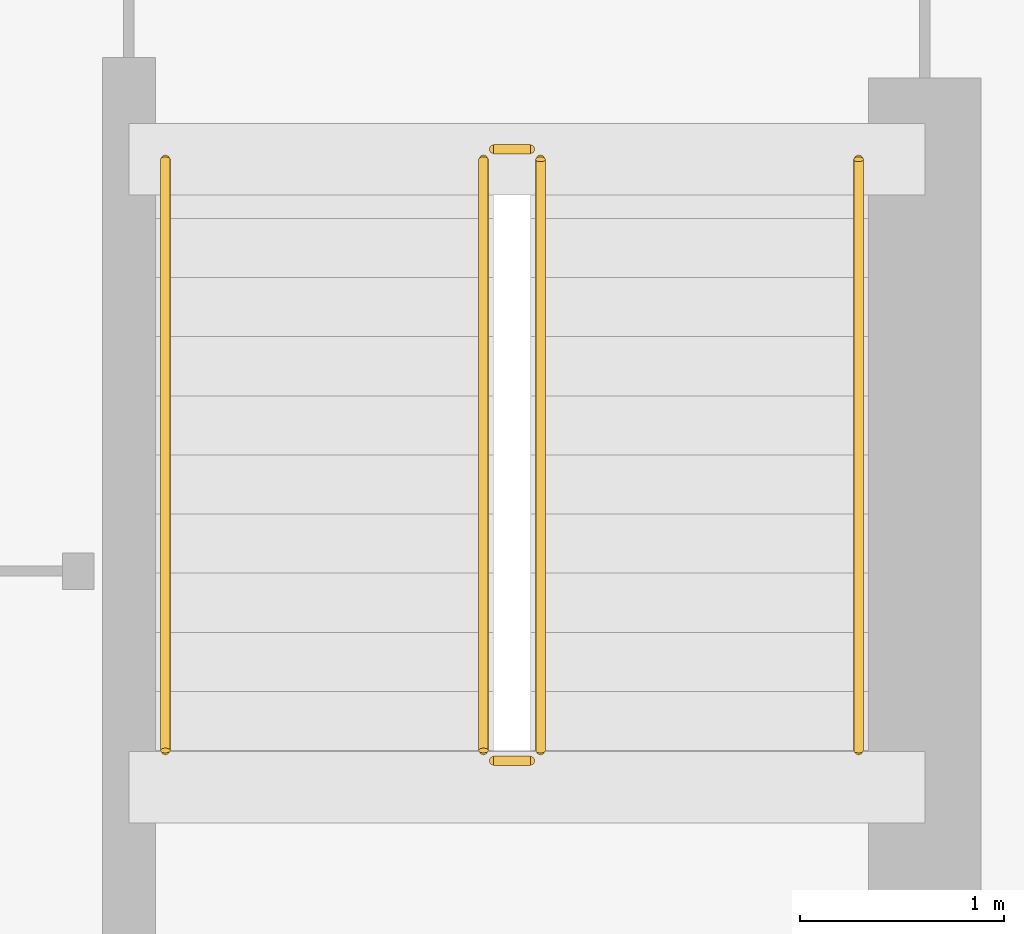
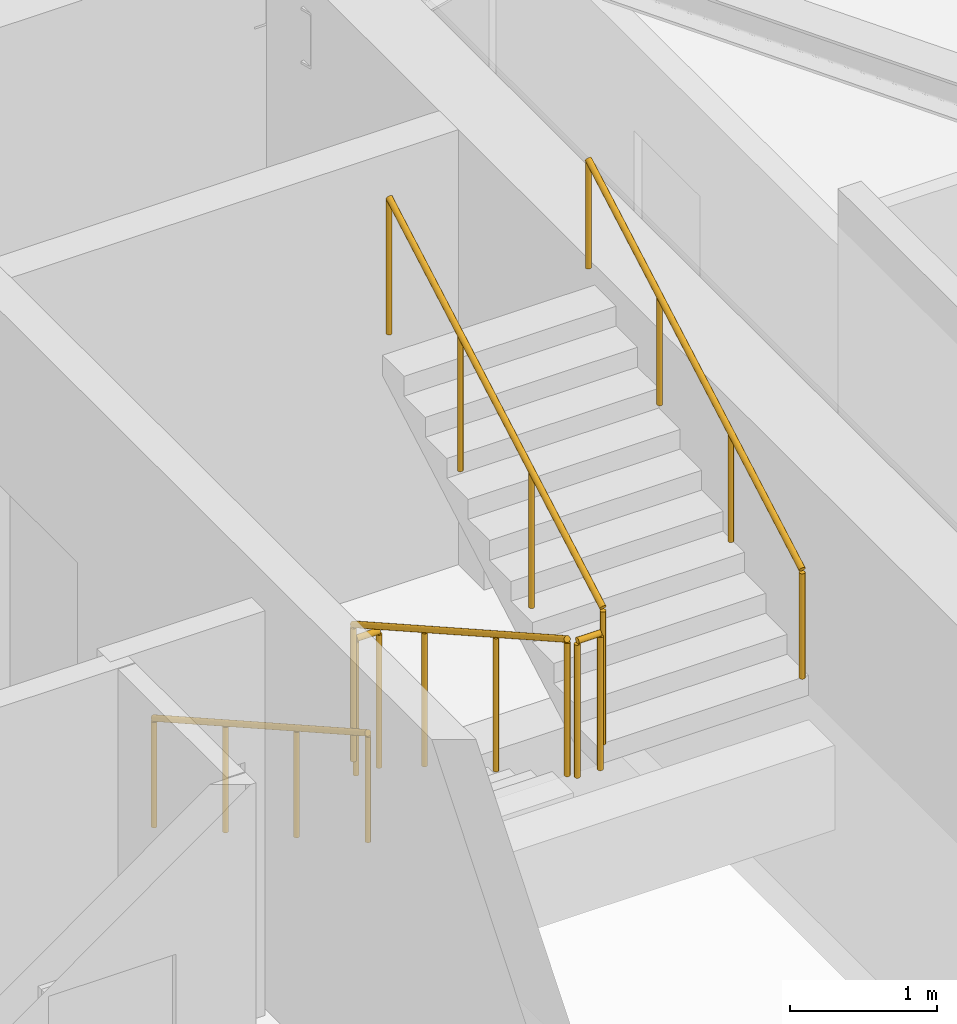
# One storey, part 10 of 10: 6 railings.
"""IFC4 building model written with IfcOpenShell, lengths in metres."""

from ifc_helpers import new_model, si_unit, direction, frame, origin, origin_2d, place, context, subcontext, project, spatial, circle, extrude, material, type_object, element, save


model = new_model("IFC4")

# Units and contexts
model_context = context("Model", 3, precision=1e-05, world=origin(), true_north=direction((0.0, 1.0)))
body_context = subcontext(model_context, "Body", "Model", "MODEL_VIEW")
ifc_project = project(units=[si_unit("LENGTHUNIT", "METRE"), si_unit("AREAUNIT", "SQUARE_METRE"), si_unit("VOLUMEUNIT", "CUBIC_METRE"), si_unit("PLANEANGLEUNIT", "RADIAN"), si_unit("MASSUNIT", "GRAM", prefix="KILO")], contexts=[model_context])

# Site, building, storey
site_placement = place(None, origin())
site = spatial("IfcSite", under=ifc_project, at=site_placement, CompositionType="ELEMENT")
building_placement = place(site_placement, origin())
building = spatial("IfcBuilding", under=site, at=building_placement, Name="Calvemar Wedge Station Tower", CompositionType="ELEMENT")
storey_placement = place(building_placement, frame((0.0, 0.0, 252.89990234375)))
storey = spatial("IfcBuildingStorey", under=building, at=storey_placement, Name="L64", CompositionType="ELEMENT", Elevation=252.89990234375)

# Railings
ifc_material_1 = material(Name="Stainless steel AISI 316L", Category="steel")
railing_type_1 = type_object("IfcRailingType", Name="RL-HANDRAIL-920", PredefinedType="HANDRAIL", material=ifc_material_1)
railing_1_placement = place(storey_placement, frame((27.550048828125, 41.14990234375, 0.163818359375)))
element("IfcRailing", 1, at=railing_1_placement, inside=storey, type_object=railing_type_1, Name="L64 ST-C2 stair handrail 1", PredefinedType="HANDRAIL", context=body_context, shape_type="SweptSolid", body=[
    extrude(circle(Radius=0.02392578125, at=origin_2d()), frame((0.0, 0.0, 0.89599609375), z_axis=(0.0, -0.870928581787, 0.491409610636), x_axis=(1.0, 0.0, 0.0)), (0.0, 0.0, 1.0), 3.32958984375),
    extrude(circle(Radius=0.02099609375, at=origin_2d()), origin(), (0.0, 0.0, 1.0), 0.871826171875),
    extrude(circle(Radius=0.02099609375, at=origin_2d()), frame((0.0, -0.966552734375, 0.54541015625)), (0.0, 0.0, 1.0), 0.871826171875),
    extrude(circle(Radius=0.02099609375, at=origin_2d()), frame((0.0, -1.933349609375, 1.0908203125)), (0.0, 0.0, 1.0), 0.871826171875),
    extrude(circle(Radius=0.02099609375, at=origin_2d()), frame((0.0, -2.89990234375, 1.63623046875)), (0.0, 0.0, 1.0), 0.871826171875),
])
railing_2_placement = place(storey_placement, frame((30.949951171875, 38.25, 1.963623046875)))
element("IfcRailing", 2, at=railing_2_placement, inside=storey, type_object=railing_type_1, Name="L64 ST-C2 stair handrail 2", PredefinedType="HANDRAIL", context=body_context, shape_type="SweptSolid", body=[
    extrude(circle(Radius=0.02392578125, at=origin_2d()), frame((0.0, 0.0, 0.89599609375), z_axis=(0.0, 0.870897200241, 0.491465224214), x_axis=(-1.0, 0.0, 0.0)), (0.0, 0.0, 1.0), 3.329833984375),
    extrude(circle(Radius=0.02099609375, at=origin_2d()), origin(), (0.0, 0.0, 1.0), 0.871826171875),
    extrude(circle(Radius=0.02099609375, at=origin_2d()), frame((0.0, 0.966552734375, 0.54541015625)), (0.0, 0.0, 1.0), 0.871826171875),
    extrude(circle(Radius=0.02099609375, at=origin_2d()), frame((0.0, 1.933349609375, 1.091064453125)), (0.0, 0.0, 1.0), 0.871826171875),
    extrude(circle(Radius=0.02099609375, at=origin_2d()), frame((0.0, 2.89990234375, 1.636474609375)), (0.0, 0.0, 1.0), 0.871826171875),
])
ifc_material_2 = material(Name="Painted steel guardrail ASTM A500 Grade C", Category="steel")
railing_type_2 = type_object("IfcRailingType", Name="RL-STAIR-GUARD-1150", PredefinedType="GUARDRAIL", material=ifc_material_2)
railing_3_placement = place(storey_placement, frame((29.110107421875, 41.14990234375, 0.163818359375)))
element("IfcRailing", 3, at=railing_3_placement, inside=storey, type_object=railing_type_2, Name="L64 ST-C2 stair guard 1", PredefinedType="GUARDRAIL", context=body_context, shape_type="SweptSolid", body=[
    extrude(circle(Radius=0.02392578125, at=origin_2d()), frame((0.0, 0.0, 1.1259765625), z_axis=(0.0, -0.870928581787, 0.491409610636), x_axis=(1.0, 0.0, 0.0)), (0.0, 0.0, 1.0), 3.32958984375),
    extrude(circle(Radius=0.02099609375, at=origin_2d()), origin(), (0.0, 0.0, 1.0), 1.101806640625),
    extrude(circle(Radius=0.02099609375, at=origin_2d()), frame((0.0, -0.966552734375, 0.54541015625)), (0.0, 0.0, 1.0), 1.101806640625),
    extrude(circle(Radius=0.02099609375, at=origin_2d()), frame((0.0, -1.933349609375, 1.0908203125)), (0.0, 0.0, 1.0), 1.101806640625),
    extrude(circle(Radius=0.02099609375, at=origin_2d()), frame((0.0, -2.89990234375, 1.63623046875)), (0.0, 0.0, 1.0), 1.101806640625),
])
railing_4_placement = place(storey_placement, frame((29.159912109375, 38.199951171875, 1.800048828125)))
element("IfcRailing", 4, at=railing_4_placement, inside=storey, type_object=railing_type_2, Name="L64 ST-C2 stair guard 2", PredefinedType="GUARDRAIL", context=body_context, shape_type="SweptSolid", body=[
    extrude(circle(Radius=0.02392578125, at=origin_2d()), frame((0.0, 0.0, 1.1259765625), z_axis=(1.0, 0.0, 0.0), x_axis=(0.0, 1.0, 0.0)), (0.0, 0.0, 1.0), 0.18017578125),
    extrude(circle(Radius=0.02099609375, at=origin_2d()), origin(), (0.0, 0.0, 1.0), 1.101806640625),
    extrude(circle(Radius=0.02099609375, at=origin_2d()), frame((0.18017578125, 0.0, 0.0)), (0.0, 0.0, 1.0), 1.101806640625),
])
railing_5_placement = place(storey_placement, frame((29.389892578125, 38.25, 1.963623046875)))
element("IfcRailing", 5, at=railing_5_placement, inside=storey, type_object=railing_type_2, Name="L64 ST-C2 stair guard 3", PredefinedType="GUARDRAIL", context=body_context, shape_type="SweptSolid", body=[
    extrude(circle(Radius=0.02392578125, at=origin_2d()), frame((0.0, 0.0, 1.1259765625), z_axis=(0.0, 0.870897200241, 0.491465224214), x_axis=(-1.0, 0.0, 0.0)), (0.0, 0.0, 1.0), 3.329833984375),
    extrude(circle(Radius=0.02099609375, at=origin_2d()), origin(), (0.0, 0.0, 1.0), 1.101806640625),
    extrude(circle(Radius=0.02099609375, at=origin_2d()), frame((0.0, 0.966552734375, 0.54541015625)), (0.0, 0.0, 1.0), 1.101806640625),
    extrude(circle(Radius=0.02099609375, at=origin_2d()), frame((0.0, 1.933349609375, 1.091064453125)), (0.0, 0.0, 1.0), 1.101806640625),
    extrude(circle(Radius=0.02099609375, at=origin_2d()), frame((0.0, 2.89990234375, 1.636474609375)), (0.0, 0.0, 1.0), 1.101806640625),
])
railing_6_placement = place(storey_placement, frame((29.159912109375, 41.199951171875, 0.0)))
element("IfcRailing", 6, at=railing_6_placement, inside=storey, type_object=railing_type_2, Name="L64 ST-C2 stair guard 4", PredefinedType="GUARDRAIL", context=body_context, shape_type="SweptSolid", body=[
    extrude(circle(Radius=0.02392578125, at=origin_2d()), frame((0.0, 0.0, 1.1259765625), z_axis=(1.0, 0.0, 0.0), x_axis=(0.0, 1.0, 0.0)), (0.0, 0.0, 1.0), 0.18017578125),
    extrude(circle(Radius=0.02099609375, at=origin_2d()), origin(), (0.0, 0.0, 1.0), 1.101806640625),
    extrude(circle(Radius=0.02099609375, at=origin_2d()), frame((0.18017578125, 0.0, 0.0)), (0.0, 0.0, 1.0), 1.101806640625),
])

save(model, "model.ifc")
